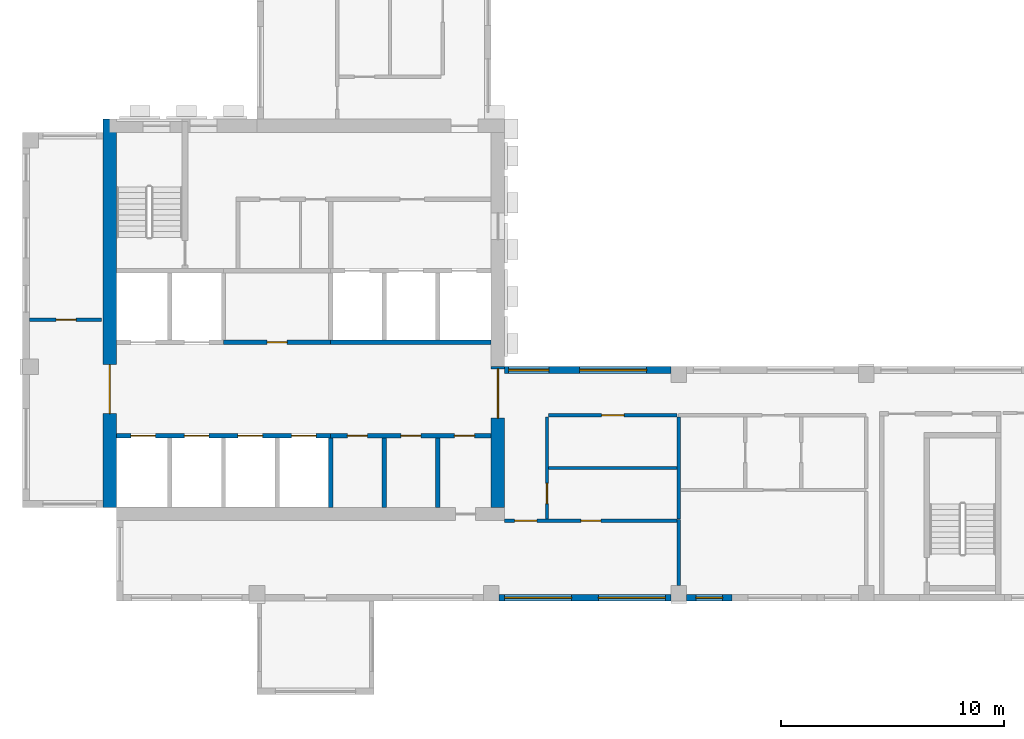
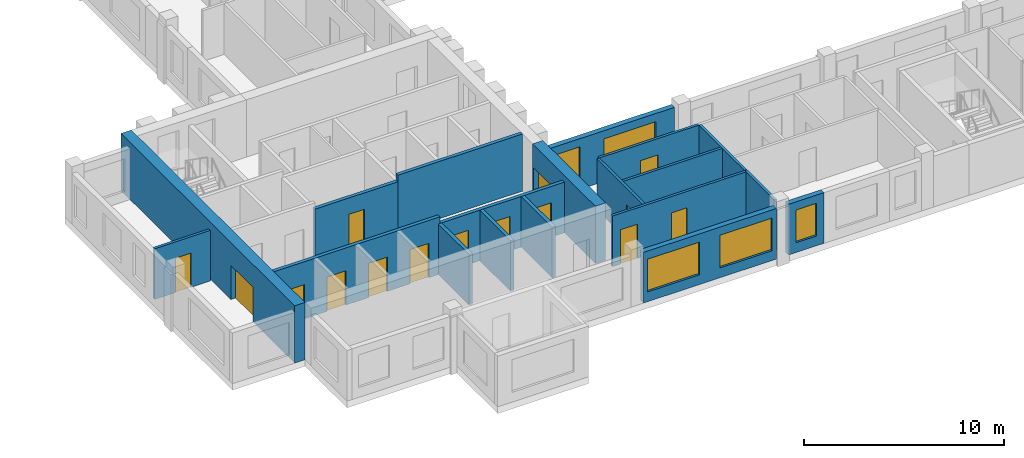
# One storey, part 2 of 10: 19 walls, 15 doors, 5 windows, 20 openings.
"""IFC4 building model written with IfcOpenShell, lengths in metres."""

from ifc_helpers import new_model, si_unit, direction, frame, frame_2d, origin, place, context, subcontext, project, spatial, rectangle, extrude, source, transform, mapped, material, layer, layer_set, type_object, element, fill, save


model = new_model("IFC4")

# Units and contexts
model_context = context("Model", 3, precision=1e-05, world=origin(), true_north=direction((0.0, 1.0)))
body_context = subcontext(model_context, "Body", "Model", "MODEL_VIEW")
ifc_project = project(units=[si_unit("LENGTHUNIT", "METRE"), si_unit("AREAUNIT", "SQUARE_METRE"), si_unit("VOLUMEUNIT", "CUBIC_METRE"), si_unit("PLANEANGLEUNIT", "RADIAN"), si_unit("MASSUNIT", "GRAM", prefix="KILO")], contexts=[model_context])

# Site, building, storey
site_placement = place(None, origin())
site = spatial("IfcSite", under=ifc_project, at=site_placement, CompositionType="ELEMENT")
building_placement = place(site_placement, origin())
building = spatial("IfcBuilding", under=site, at=building_placement, Name="Aurelian Terraces", CompositionType="ELEMENT")
storey_placement = place(building_placement, frame((0.0, 0.0, 288.0)))
storey = spatial("IfcBuildingStorey", under=building, at=storey_placement, Name="L65", CompositionType="ELEMENT", Elevation=288.0)

# Wall
ifc_material_1 = material(Name="Gypsum board on steel studs", Category="steel")
ifc_layer_1 = layer(ifc_material_1, 0.2)
ifc_layer_set_1 = layer_set([ifc_layer_1], Name="Core partition 200")
wall_type_1 = type_object("IfcWallType", Name="Core partition 200", PredefinedType="PARTITIONING", material=ifc_layer_set_1)
wall_1_placement = place(storey_placement, frame((16.2, 4.2, 0.0), z_axis=(0.0, 0.0, 1.0), x_axis=(0.0, 1.0, 0.0)))
element("IfcWall", 1, at=wall_1_placement, inside=storey, type_object=wall_type_1, Name="L65 core wall CS-A5", PredefinedType="PARTITIONING", context=body_context, shape_type="SweptSolid", body=[
    extrude(rectangle(XDim=3.1, YDim=0.2, at=frame_2d((1.55, 0.0))), origin(), (0.0, 0.0, 1.0), 3.1),
])

# Wall, opening, door
ifc_material_2 = material(Name="Concrete fc' 55 MPa", Category="concrete")
ifc_layer_2 = layer(ifc_material_2, 0.6)
ifc_layer_set_2 = layer_set([ifc_layer_2], Name="CORE WALL 600 FC55")
wall_type_2 = type_object("IfcWallType", Name="CORE WALL 600 FC55", PredefinedType="SHEAR", material=ifc_layer_set_2)
shared_shape_1 = source(origin(), body_context, "Body", "SweptSolid", [
    extrude(rectangle(XDim=17.4, YDim=0.6, at=frame_2d((8.7, 0.0))), origin(), (0.0, 0.0, 1.0), 3.5),
])
wall_2_placement = place(storey_placement, frame((3.9, 4.2, 0.0), z_axis=(0.0, 0.0, 1.0), x_axis=(0.0, 1.0, 0.0)))
wall_2 = element("IfcWall", 2, at=wall_2_placement, inside=storey, type_object=wall_type_2, Name="Core wall W L65", PredefinedType="SHEAR", context=body_context, shape_type="MappedRepresentation", body=[
    mapped(shared_shape_1, transform((0.0, 0.0, 0.0), scale=1.0)),
])
shared_shape_2 = source(origin(), body_context, "Body", "SweptSolid", [
    extrude(rectangle(XDim=2.2, YDim=2.1, at=frame_2d((1.1, 1.05))), frame((0.0, 0.31, 0.0), z_axis=(0.0, -1.0, 0.0), x_axis=(1.0, 0.0, 0.0)), (0.0, 0.0, 1.0), 0.62),
])
opening_1_placement = place(wall_2_placement, frame((4.2, 0.0, 0.0)))
opening_1 = element("IfcOpeningElement", 3, at=opening_1_placement, cuts=wall_2, Name="Opening 66824", PredefinedType="OPENING", context=body_context, shape_type="MappedRepresentation", body=[
    mapped(shared_shape_2, transform((0.0, 0.0, 0.0), scale=1.0)),
])
ifc_material_3 = material(Name="Steel door leaf", Category="steel")
door_type_1 = type_object("IfcDoorType", Name="Core double door 2200x2100", OperationType="DOUBLE_DOOR_SINGLE_SWING", PredefinedType="DOOR", material=ifc_material_3)
shared_shape_3 = source(origin(), body_context, "Body", "SweptSolid", [
    extrude(rectangle(XDim=2.2, YDim=2.1, at=frame_2d((1.1, 1.05))), frame((0.0, 0.025, 0.0), z_axis=(0.0, -1.0, 0.0), x_axis=(1.0, 0.0, 0.0)), (0.0, 0.0, 1.0), 0.05),
])
door_1_placement = place(opening_1_placement, origin())
door_1 = element("IfcDoor", 4, at=door_1_placement, inside=storey, type_object=door_type_1, Name="Core door 66824", OperationType="DOUBLE_DOOR_SINGLE_SWING", OverallHeight=2.1, OverallWidth=2.2, PredefinedType="DOOR", context=body_context, shape_type="MappedRepresentation", body=[
    mapped(shared_shape_3, transform((0.0, 0.0, 0.0), scale=1.0)),
])
fill(opening_1, door_1)

shared_shape_4 = source(origin(), body_context, "Body", "SweptSolid", [
    extrude(rectangle(XDim=6.3, YDim=0.6, at=frame_2d((3.15, 0.0))), origin(), (0.0, 0.0, 1.0), 3.5),
])
wall_3_placement = place(storey_placement, frame((21.3, 4.2, 0.0), z_axis=(0.0, 0.0, 1.0), x_axis=(0.0, 1.0, 0.0)))
wall_3 = element("IfcWall", 5, at=wall_3_placement, inside=storey, type_object=wall_type_2, Name="Core wall E L65", PredefinedType="SHEAR", context=body_context, shape_type="MappedRepresentation", body=[
    mapped(shared_shape_4, transform((0.0, 0.0, 0.0), scale=1.0)),
])
opening_2_placement = place(wall_3_placement, frame((4.0, 0.0, 0.0)))
opening_2 = element("IfcOpeningElement", 6, at=opening_2_placement, cuts=wall_3, Name="Opening 66823", PredefinedType="OPENING", context=body_context, shape_type="MappedRepresentation", body=[
    mapped(shared_shape_2, transform((0.0, 0.0, 0.0), scale=1.0)),
])
door_2_placement = place(opening_2_placement, origin())
door_2 = element("IfcDoor", 7, at=door_2_placement, inside=storey, type_object=door_type_1, Name="Core door 66823", OperationType="DOUBLE_DOOR_SINGLE_SWING", OverallHeight=2.1, OverallWidth=2.2, PredefinedType="DOOR", context=body_context, shape_type="MappedRepresentation", body=[
    mapped(shared_shape_3, transform((0.0, 0.0, 0.0), scale=1.0)),
])
fill(opening_2, door_2)

# Wall, openings, windows
ifc_material_4 = material(Name="Terracotta rainscreen cladding", Category="masonry")
ifc_layer_3 = layer(ifc_material_4, 0.3)
ifc_layer_set_3 = layer_set([ifc_layer_3], Name="EW-300")
wall_type_3 = type_object("IfcWallType", Name="EW-300", PredefinedType="STANDARD", material=ifc_layer_set_3)
shared_shape_5 = source(origin(), body_context, "Body", "SweptSolid", [
    extrude(rectangle(XDim=7.7, YDim=0.3, at=frame_2d((3.85, 0.0))), origin(), (0.0, 0.0, 1.0), 3.1),
])
wall_4_placement = place(storey_placement, frame((21.35, 0.15, 0.0), z_axis=(0.0, 0.0, 1.0), x_axis=(1.0, 0.0, 0.0)))
wall_4 = element("IfcWall", 8, at=wall_4_placement, inside=storey, type_object=wall_type_3, Name="External wall L65 F01.3", PredefinedType="STANDARD", context=body_context, shape_type="MappedRepresentation", body=[
    mapped(shared_shape_5, transform((0.0, 0.0, 0.0), scale=1.0)),
])
shared_shape_6 = source(origin(), body_context, "Body", "SweptSolid", [
    extrude(rectangle(XDim=3.0, YDim=2.0, at=frame_2d((1.5, 1.0))), frame((0.0, 0.16, 0.0), z_axis=(0.0, -1.0, 0.0), x_axis=(1.0, 0.0, 0.0)), (0.0, 0.0, 1.0), 0.32),
])
opening_3_placement = place(wall_4_placement, frame((0.25, 0.0, 0.6)))
opening_3 = element("IfcOpeningElement", 9, at=opening_3_placement, cuts=wall_4, Name="Opening W3020", PredefinedType="OPENING", context=body_context, shape_type="MappedRepresentation", body=[
    mapped(shared_shape_6, transform((0.0, 0.0, 0.0), scale=1.0)),
])
opening_4_placement = place(wall_4_placement, frame((4.45, 0.0, 0.6)))
opening_4 = element("IfcOpeningElement", 10, at=opening_4_placement, cuts=wall_4, Name="Opening W3020", PredefinedType="OPENING", context=body_context, shape_type="MappedRepresentation", body=[
    mapped(shared_shape_6, transform((0.0, 0.0, 0.0), scale=1.0)),
])
ifc_material_5 = material(Name="Clear glazing", Category="glass")
window_type_1 = type_object("IfcWindowType", Name="W-3000x2000", PartitioningType="SINGLE_PANEL", PredefinedType="WINDOW", material=ifc_material_5)
shared_shape_7 = source(origin(), body_context, "Body", "SweptSolid", [
    extrude(rectangle(XDim=3.0, YDim=2.0, at=frame_2d((1.5, 1.0))), frame((0.0, 0.03, 0.0), z_axis=(0.0, -1.0, 0.0), x_axis=(1.0, 0.0, 0.0)), (0.0, 0.0, 1.0), 0.06),
])
window_1_placement = place(opening_3_placement, origin())
window_1 = element("IfcWindow", 11, at=window_1_placement, inside=storey, type_object=window_type_1, Name="Window L65 L65-F01-03-0", OverallHeight=2.0, OverallWidth=3.0, PartitioningType="SINGLE_PANEL", PredefinedType="WINDOW", context=body_context, shape_type="MappedRepresentation", body=[
    mapped(shared_shape_7, transform((0.0, 0.0, 0.0), scale=1.0)),
])
fill(opening_3, window_1)
window_2_placement = place(opening_4_placement, origin())
window_2 = element("IfcWindow", 12, at=window_2_placement, inside=storey, type_object=window_type_1, Name="Window L65 L65-F01-03-1", OverallHeight=2.0, OverallWidth=3.0, PartitioningType="SINGLE_PANEL", PredefinedType="WINDOW", context=body_context, shape_type="MappedRepresentation", body=[
    mapped(shared_shape_7, transform((0.0, 0.0, 0.0), scale=1.0)),
])
fill(opening_4, window_2)

shared_shape_8 = source(origin(), body_context, "Body", "SweptSolid", [
    extrude(rectangle(XDim=7.45, YDim=0.3, at=frame_2d((3.725, 0.0))), origin(), (0.0, 0.0, 1.0), 3.1),
])
wall_5_placement = place(storey_placement, frame((29.05, 10.35, 0.0), z_axis=(0.0, 0.0, 1.0), x_axis=(-1.0, 0.0, 0.0)))
wall_5 = element("IfcWall", 13, at=wall_5_placement, inside=storey, type_object=wall_type_3, Name="External wall L65 F03.8", PredefinedType="STANDARD", context=body_context, shape_type="MappedRepresentation", body=[
    mapped(shared_shape_8, transform((0.0, 0.0, 0.0), scale=1.0)),
])
opening_5_placement = place(wall_5_placement, frame((1.09, 0.0, 0.6)))
opening_5 = element("IfcOpeningElement", 14, at=opening_5_placement, cuts=wall_5, Name="Opening W3020", PredefinedType="OPENING", context=body_context, shape_type="MappedRepresentation", body=[
    mapped(shared_shape_6, transform((0.0, 0.0, 0.0), scale=1.0)),
])
shared_shape_9 = source(origin(), body_context, "Body", "SweptSolid", [
    extrude(rectangle(XDim=1.8, YDim=2.0, at=frame_2d((0.9, 1.0))), frame((0.0, 0.16, 0.0), z_axis=(0.0, -1.0, 0.0), x_axis=(1.0, 0.0, 0.0)), (0.0, 0.0, 1.0), 0.32),
])
opening_6_placement = place(wall_5_placement, frame((5.47, 0.0, 0.6)))
opening_6 = element("IfcOpeningElement", 15, at=opening_6_placement, cuts=wall_5, Name="Opening W1820", PredefinedType="OPENING", context=body_context, shape_type="MappedRepresentation", body=[
    mapped(shared_shape_9, transform((0.0, 0.0, 0.0), scale=1.0)),
])
window_3_placement = place(opening_5_placement, origin())
window_3 = element("IfcWindow", 16, at=window_3_placement, inside=storey, type_object=window_type_1, Name="Window L65 L65-F03-08-5", OverallHeight=2.0, OverallWidth=3.0, PartitioningType="SINGLE_PANEL", PredefinedType="WINDOW", context=body_context, shape_type="MappedRepresentation", body=[
    mapped(shared_shape_7, transform((0.0, 0.0, 0.0), scale=1.0)),
])
fill(opening_5, window_3)
window_type_2 = type_object("IfcWindowType", Name="W-1800x2000", PartitioningType="SINGLE_PANEL", PredefinedType="WINDOW", material=ifc_material_5)
shared_shape_10 = source(origin(), body_context, "Body", "SweptSolid", [
    extrude(rectangle(XDim=1.8, YDim=2.0, at=frame_2d((0.9, 1.0))), frame((0.0, 0.03, 0.0), z_axis=(0.0, -1.0, 0.0), x_axis=(1.0, 0.0, 0.0)), (0.0, 0.0, 1.0), 0.06),
])
window_4_placement = place(opening_6_placement, origin())
window_4 = element("IfcWindow", 17, at=window_4_placement, inside=storey, type_object=window_type_2, Name="Window L65 L65-F03-08-6", OverallHeight=2.0, OverallWidth=1.8, PartitioningType="SINGLE_PANEL", PredefinedType="WINDOW", context=body_context, shape_type="MappedRepresentation", body=[
    mapped(shared_shape_10, transform((0.0, 0.0, 0.0), scale=1.0)),
])
fill(opening_6, window_4)

# Wall, opening, window
shared_shape_11 = source(origin(), body_context, "Body", "SweptSolid", [
    extrude(rectangle(XDim=2.05, YDim=0.3, at=frame_2d((1.025, 0.0))), origin(), (0.0, 0.0, 1.0), 3.1),
])
wall_6_placement = place(storey_placement, frame((29.75, 0.15, 0.0), z_axis=(0.0, 0.0, 1.0), x_axis=(1.0, 0.0, 0.0)))
wall_6 = element("IfcWall", 18, at=wall_6_placement, inside=storey, type_object=wall_type_3, Name="External wall L65 F01.4", PredefinedType="STANDARD", context=body_context, shape_type="MappedRepresentation", body=[
    mapped(shared_shape_11, transform((0.0, 0.0, 0.0), scale=1.0)),
])
shared_shape_12 = source(origin(), body_context, "Body", "SweptSolid", [
    extrude(rectangle(XDim=1.2, YDim=2.0, at=frame_2d((0.6, 1.0))), frame((0.0, 0.16, 0.0), z_axis=(0.0, -1.0, 0.0), x_axis=(1.0, 0.0, 0.0)), (0.0, 0.0, 1.0), 0.32),
])
opening_7_placement = place(wall_6_placement, frame((0.425, 0.0, 0.6)))
opening_7 = element("IfcOpeningElement", 19, at=opening_7_placement, cuts=wall_6, Name="Opening W1220", PredefinedType="OPENING", context=body_context, shape_type="MappedRepresentation", body=[
    mapped(shared_shape_12, transform((0.0, 0.0, 0.0), scale=1.0)),
])
window_type_3 = type_object("IfcWindowType", Name="W-1200x2000", PartitioningType="SINGLE_PANEL", PredefinedType="WINDOW", material=ifc_material_5)
shared_shape_13 = source(origin(), body_context, "Body", "SweptSolid", [
    extrude(rectangle(XDim=1.2, YDim=2.0, at=frame_2d((0.6, 1.0))), frame((0.0, 0.03, 0.0), z_axis=(0.0, -1.0, 0.0), x_axis=(1.0, 0.0, 0.0)), (0.0, 0.0, 1.0), 0.06),
])
window_5_placement = place(opening_7_placement, origin())
window_5 = element("IfcWindow", 20, at=window_5_placement, inside=storey, type_object=window_type_3, Name="Window L65 L65-F01-04-P0", OverallHeight=2.0, OverallWidth=1.2, PartitioningType="SINGLE_PANEL", PredefinedType="WINDOW", context=body_context, shape_type="MappedRepresentation", body=[
    mapped(shared_shape_13, transform((0.0, 0.0, 0.0), scale=1.0)),
])
fill(opening_7, window_5)

# Wall
ifc_material_6 = material(Name="Concrete fc' 40 MPa", Category="concrete")
ifc_layer_4 = layer(ifc_material_6, 0.2)
ifc_layer_set_4 = layer_set([ifc_layer_4], Name="Lift shaft wall 200")
wall_type_4 = type_object("IfcWallType", Name="Lift shaft wall 200", PredefinedType="SOLIDWALL", material=ifc_layer_set_4)
shared_shape_14 = source(origin(), body_context, "Body", "SweptSolid", [
    extrude(rectangle(XDim=3.1, YDim=0.2, at=frame_2d((1.55, 0.0))), origin(), (0.0, 0.0, 1.0), 3.1),
])
wall_7_placement = place(storey_placement, frame((13.8, 4.2, 0.0), z_axis=(0.0, 0.0, 1.0), x_axis=(0.0, 1.0, 0.0)))
element("IfcWall", 21, at=wall_7_placement, inside=storey, type_object=wall_type_4, Name="L65 core wall CD-A4", PredefinedType="SOLIDWALL", context=body_context, shape_type="MappedRepresentation", body=[
    mapped(shared_shape_14, transform((0.0, 0.0, 0.0), scale=1.0)),
])

# Wall, opening, door
shared_shape_15 = source(origin(), body_context, "Body", "SweptSolid", [
    extrude(rectangle(XDim=4.8, YDim=0.2, at=frame_2d((2.4, 0.0))), origin(), (0.0, 0.0, 1.0), 3.1),
])
wall_8_placement = place(storey_placement, frame((9.0, 11.6, 0.0), z_axis=(0.0, 0.0, 1.0), x_axis=(1.0, 0.0, 0.0)))
wall_8 = element("IfcWall", 22, at=wall_8_placement, inside=storey, type_object=wall_type_4, Name="L65 core wall CF-BF2", PredefinedType="SOLIDWALL", context=body_context, shape_type="MappedRepresentation", body=[
    mapped(shared_shape_15, transform((0.0, 0.0, 0.0), scale=1.0)),
])
shared_shape_16 = source(origin(), body_context, "Body", "SweptSolid", [
    extrude(rectangle(XDim=0.9, YDim=2.1, at=frame_2d((0.45, 1.05))), frame((0.0, 0.11, 0.0), z_axis=(0.0, -1.0, 0.0), x_axis=(1.0, 0.0, 0.0)), (0.0, 0.0, 1.0), 0.22),
])
opening_8_placement = place(wall_8_placement, frame((1.95, 0.0, 0.0)))
opening_8 = element("IfcOpeningElement", 23, at=opening_8_placement, cuts=wall_8, Name="Opening 66809", PredefinedType="OPENING", context=body_context, shape_type="MappedRepresentation", body=[
    mapped(shared_shape_16, transform((0.0, 0.0, 0.0), scale=1.0)),
])
door_type_2 = type_object("IfcDoorType", Name="Core service door 900x2100 right", OperationType="SINGLE_SWING_RIGHT", PredefinedType="DOOR", material=ifc_material_3)
shared_shape_17 = source(origin(), body_context, "Body", "SweptSolid", [
    extrude(rectangle(XDim=0.9, YDim=2.1, at=frame_2d((0.45, 1.05))), frame((0.0, 0.025, 0.0), z_axis=(0.0, -1.0, 0.0), x_axis=(1.0, 0.0, 0.0)), (0.0, 0.0, 1.0), 0.05),
])
door_3_placement = place(opening_8_placement, origin())
door_3 = element("IfcDoor", 24, at=door_3_placement, inside=storey, type_object=door_type_2, Name="Room door 66809", OperationType="SINGLE_SWING_RIGHT", OverallHeight=2.1, OverallWidth=0.9, PredefinedType="DOOR", context=body_context, shape_type="MappedRepresentation", body=[
    mapped(shared_shape_17, transform((0.0, 0.0, 0.0), scale=1.0)),
])
fill(opening_8, door_3)

# Walls
shared_shape_18 = source(origin(), body_context, "Body", "SweptSolid", [
    extrude(rectangle(XDim=7.2, YDim=0.2, at=frame_2d((3.6, 0.0))), origin(), (0.0, 0.0, 1.0), 3.5),
])
wall_9_placement = place(storey_placement, frame((13.8, 11.6, 0.0), z_axis=(0.0, 0.0, 1.0), x_axis=(1.0, 0.0, 0.0)))
element("IfcWall", 25, at=wall_9_placement, inside=storey, type_object=wall_type_4, Name="L65 core wall CF-BF3", PredefinedType="SOLIDWALL", context=body_context, shape_type="MappedRepresentation", body=[
    mapped(shared_shape_18, transform((0.0, 0.0, 0.0), scale=1.0)),
])
shared_shape_19 = source(origin(), body_context, "Body", "SweptSolid", [
    extrude(rectangle(XDim=3.1, YDim=0.2, at=frame_2d((1.55, 0.0))), origin(), (0.0, 0.0, 1.0), 3.1),
])
wall_10_placement = place(storey_placement, frame((18.6, 4.2, 0.0), z_axis=(0.0, 0.0, 1.0), x_axis=(0.0, 1.0, 0.0)))
element("IfcWall", 26, at=wall_10_placement, inside=storey, type_object=wall_type_1, Name="L65 core wall CS-A6", PredefinedType="PARTITIONING", context=body_context, shape_type="MappedRepresentation", body=[
    mapped(shared_shape_19, transform((0.0, 0.0, 0.0), scale=1.0)),
])

# Wall, openings, doors
shared_shape_20 = source(origin(), body_context, "Body", "SweptSolid", [
    extrude(rectangle(XDim=9.6, YDim=0.2, at=frame_2d((4.8, 0.0))), origin(), (0.0, 0.0, 1.0), 3.5),
])
wall_11_placement = place(storey_placement, frame((4.2, 7.4, 0.0), z_axis=(0.0, 0.0, 1.0), x_axis=(1.0, 0.0, 0.0)))
wall_11 = element("IfcWall", 27, at=wall_11_placement, inside=storey, type_object=wall_type_4, Name="L65 core wall CF-AF1", PredefinedType="SOLIDWALL", context=body_context, shape_type="MappedRepresentation", body=[
    mapped(shared_shape_20, transform((0.0, 0.0, 0.0), scale=1.0)),
])
shared_shape_21 = source(origin(), body_context, "Body", "SweptSolid", [
    extrude(rectangle(XDim=1.1, YDim=2.1, at=frame_2d((0.55, 1.05))), frame((0.0, 0.11, 0.0), z_axis=(0.0, -1.0, 0.0), x_axis=(1.0, 0.0, 0.0)), (0.0, 0.0, 1.0), 0.22),
])
opening_9_placement = place(wall_11_placement, frame((0.65, 0.0, 0.0)))
opening_9 = element("IfcOpeningElement", 28, at=opening_9_placement, cuts=wall_11, Name="Opening 66800", PredefinedType="OPENING", context=body_context, shape_type="MappedRepresentation", body=[
    mapped(shared_shape_21, transform((0.0, 0.0, 0.0), scale=1.0)),
])
opening_10_placement = place(wall_11_placement, frame((3.05, 0.0, 0.0)))
opening_10 = element("IfcOpeningElement", 29, at=opening_10_placement, cuts=wall_11, Name="Opening 66801", PredefinedType="OPENING", context=body_context, shape_type="MappedRepresentation", body=[
    mapped(shared_shape_21, transform((0.0, 0.0, 0.0), scale=1.0)),
])
opening_11_placement = place(wall_11_placement, frame((5.45, 0.0, 0.0)))
opening_11 = element("IfcOpeningElement", 30, at=opening_11_placement, cuts=wall_11, Name="Opening 66802", PredefinedType="OPENING", context=body_context, shape_type="MappedRepresentation", body=[
    mapped(shared_shape_21, transform((0.0, 0.0, 0.0), scale=1.0)),
])
opening_12_placement = place(wall_11_placement, frame((7.85, 0.0, 0.0)))
opening_12 = element("IfcOpeningElement", 31, at=opening_12_placement, cuts=wall_11, Name="Opening 66803", PredefinedType="OPENING", context=body_context, shape_type="MappedRepresentation", body=[
    mapped(shared_shape_21, transform((0.0, 0.0, 0.0), scale=1.0)),
])
ifc_material_7 = material(Name="Stainless steel", Category="steel")
door_type_3 = type_object("IfcDoorType", Name="Lift landing door 1100x2100", OperationType="SLIDING_TO_LEFT", PredefinedType="DOOR", material=ifc_material_7)
shared_shape_22 = source(origin(), body_context, "Body", "SweptSolid", [
    extrude(rectangle(XDim=1.1, YDim=2.1, at=frame_2d((0.55, 1.05))), frame((0.0, 0.025, 0.0), z_axis=(0.0, -1.0, 0.0), x_axis=(1.0, 0.0, 0.0)), (0.0, 0.0, 1.0), 0.05),
])
door_4_placement = place(opening_9_placement, origin())
door_4 = element("IfcDoor", 32, at=door_4_placement, inside=storey, type_object=door_type_3, Name="Lift landing door LH1 L65", OperationType="SLIDING_TO_LEFT", OverallHeight=2.1, OverallWidth=1.1, PredefinedType="DOOR", context=body_context, shape_type="MappedRepresentation", body=[
    mapped(shared_shape_22, transform((0.0, 0.0, 0.0), scale=1.0)),
])
fill(opening_9, door_4)
door_5_placement = place(opening_10_placement, origin())
door_5 = element("IfcDoor", 33, at=door_5_placement, inside=storey, type_object=door_type_3, Name="Lift landing door LH2 L65", OperationType="SLIDING_TO_LEFT", OverallHeight=2.1, OverallWidth=1.1, PredefinedType="DOOR", context=body_context, shape_type="MappedRepresentation", body=[
    mapped(shared_shape_22, transform((0.0, 0.0, 0.0), scale=1.0)),
])
fill(opening_10, door_5)
door_6_placement = place(opening_11_placement, origin())
door_6 = element("IfcDoor", 34, at=door_6_placement, inside=storey, type_object=door_type_3, Name="Lift landing door LH3 L65", OperationType="SLIDING_TO_LEFT", OverallHeight=2.1, OverallWidth=1.1, PredefinedType="DOOR", context=body_context, shape_type="MappedRepresentation", body=[
    mapped(shared_shape_22, transform((0.0, 0.0, 0.0), scale=1.0)),
])
fill(opening_11, door_6)
door_7_placement = place(opening_12_placement, origin())
door_7 = element("IfcDoor", 35, at=door_7_placement, inside=storey, type_object=door_type_3, Name="Lift landing door LH4 L65", OperationType="SLIDING_TO_LEFT", OverallHeight=2.1, OverallWidth=1.1, PredefinedType="DOOR", context=body_context, shape_type="MappedRepresentation", body=[
    mapped(shared_shape_22, transform((0.0, 0.0, 0.0), scale=1.0)),
])
fill(opening_12, door_7)

shared_shape_23 = source(origin(), body_context, "Body", "SweptSolid", [
    extrude(rectangle(XDim=7.2, YDim=0.2, at=frame_2d((3.6, 0.0))), origin(), (0.0, 0.0, 1.0), 3.1),
])
wall_12_placement = place(storey_placement, frame((13.8, 7.4, 0.0), z_axis=(0.0, 0.0, 1.0), x_axis=(1.0, 0.0, 0.0)))
wall_12 = element("IfcWall", 36, at=wall_12_placement, inside=storey, type_object=wall_type_4, Name="L65 core wall CF-AF2", PredefinedType="SOLIDWALL", context=body_context, shape_type="MappedRepresentation", body=[
    mapped(shared_shape_23, transform((0.0, 0.0, 0.0), scale=1.0)),
])
opening_13_placement = place(wall_12_placement, frame((0.75, 0.0, 0.0)))
opening_13 = element("IfcOpeningElement", 37, at=opening_13_placement, cuts=wall_12, Name="Opening 66804", PredefinedType="OPENING", context=body_context, shape_type="MappedRepresentation", body=[
    mapped(shared_shape_16, transform((0.0, 0.0, 0.0), scale=1.0)),
])
opening_14_placement = place(wall_12_placement, frame((3.15, 0.0, 0.0)))
opening_14 = element("IfcOpeningElement", 38, at=opening_14_placement, cuts=wall_12, Name="Opening 66805", PredefinedType="OPENING", context=body_context, shape_type="MappedRepresentation", body=[
    mapped(shared_shape_16, transform((0.0, 0.0, 0.0), scale=1.0)),
])
opening_15_placement = place(wall_12_placement, frame((5.55, 0.0, 0.0)))
opening_15 = element("IfcOpeningElement", 39, at=opening_15_placement, cuts=wall_12, Name="Opening 66806", PredefinedType="OPENING", context=body_context, shape_type="MappedRepresentation", body=[
    mapped(shared_shape_16, transform((0.0, 0.0, 0.0), scale=1.0)),
])
door_type_4 = type_object("IfcDoorType", Name="Core service door 900x2100", OperationType="SINGLE_SWING_LEFT", PredefinedType="DOOR", material=ifc_material_3)
door_8_placement = place(opening_13_placement, origin())
door_8 = element("IfcDoor", 40, at=door_8_placement, inside=storey, type_object=door_type_4, Name="Room door 66804", OperationType="SINGLE_SWING_LEFT", OverallHeight=2.1, OverallWidth=0.9, PredefinedType="DOOR", context=body_context, shape_type="MappedRepresentation", body=[
    mapped(shared_shape_17, transform((0.0, 0.0, 0.0), scale=1.0)),
])
fill(opening_13, door_8)
door_9_placement = place(opening_14_placement, origin())
door_9 = element("IfcDoor", 41, at=door_9_placement, inside=storey, type_object=door_type_2, Name="Room door 66805", OperationType="SINGLE_SWING_RIGHT", OverallHeight=2.1, OverallWidth=0.9, PredefinedType="DOOR", context=body_context, shape_type="MappedRepresentation", body=[
    mapped(shared_shape_17, transform((0.0, 0.0, 0.0), scale=1.0)),
])
fill(opening_14, door_9)
door_10_placement = place(opening_15_placement, origin())
door_10 = element("IfcDoor", 42, at=door_10_placement, inside=storey, type_object=door_type_4, Name="Room door 66806", OperationType="SINGLE_SWING_LEFT", OverallHeight=2.1, OverallWidth=0.9, PredefinedType="DOOR", context=body_context, shape_type="MappedRepresentation", body=[
    mapped(shared_shape_17, transform((0.0, 0.0, 0.0), scale=1.0)),
])
fill(opening_15, door_10)

# Wall, opening, door
ifc_layer_5 = layer(ifc_material_1, 0.15)
ifc_layer_set_5 = layer_set([ifc_layer_5], Name="Partition 150")
wall_type_5 = type_object("IfcWallType", Name="Partition 150", PredefinedType="PARTITIONING", material=ifc_layer_set_5)
shared_shape_24 = source(origin(), body_context, "Body", "SweptSolid", [
    extrude(rectangle(XDim=4.575, YDim=0.15, at=frame_2d((2.2875, 0.0))), origin(), (0.0, 0.0, 1.0), 3.1),
])
wall_13_placement = place(storey_placement, frame((23.5, 8.25, 0.0), z_axis=(0.0, 0.0, 1.0), x_axis=(0.0, -1.0, 0.0)))
wall_13 = element("IfcWall", 43, at=wall_13_placement, inside=storey, type_object=wall_type_5, Name="Partition", PredefinedType="PARTITIONING", context=body_context, shape_type="MappedRepresentation", body=[
    mapped(shared_shape_24, transform((0.0, 0.0, 0.0), scale=1.0)),
])
shared_shape_25 = source(origin(), body_context, "Body", "SweptSolid", [
    extrude(rectangle(XDim=0.9, YDim=2.1, at=frame_2d((0.45, 1.05))), frame((0.0, 0.085, 0.0), z_axis=(0.0, -1.0, 0.0), x_axis=(1.0, 0.0, 0.0)), (0.0, 0.0, 1.0), 0.17),
])
opening_16_placement = place(wall_13_placement, frame((2.981, 0.0, 0.0)))
opening_16 = element("IfcOpeningElement", 44, at=opening_16_placement, cuts=wall_13, Name="Opening 765002", PredefinedType="OPENING", context=body_context, shape_type="MappedRepresentation", body=[
    mapped(shared_shape_25, transform((0.0, 0.0, 0.0), scale=1.0)),
])
ifc_material_8 = material(Name="Timber door leaf", Category="wood")
door_type_5 = type_object("IfcDoorType", Name="Room door 900x2100 left", OperationType="SINGLE_SWING_LEFT", PredefinedType="DOOR", material=ifc_material_8)
door_11_placement = place(opening_16_placement, origin())
door_11 = element("IfcDoor", 45, at=door_11_placement, inside=storey, type_object=door_type_5, Name="Door 765002", OperationType="SINGLE_SWING_LEFT", OverallHeight=2.1, OverallWidth=0.9, PredefinedType="DOOR", context=body_context, shape_type="MappedRepresentation", body=[
    mapped(shared_shape_17, transform((0.0, 0.0, 0.0), scale=1.0)),
])
fill(opening_16, door_11)

# Wall
wall_14_placement = place(storey_placement, frame((29.4, 3.675, 0.0), z_axis=(0.0, 0.0, 1.0), x_axis=(0.0, 1.0, 0.0)))
element("IfcWall", 46, at=wall_14_placement, inside=storey, type_object=wall_type_5, Name="Partition", PredefinedType="PARTITIONING", context=body_context, shape_type="MappedRepresentation", body=[
    mapped(shared_shape_24, transform((0.0, 0.0, 0.0), scale=1.0)),
])

# Wall, opening, door
ifc_layer_6 = layer(ifc_material_1, 0.15)
ifc_layer_set_6 = layer_set([ifc_layer_6], Name="Fire partition 150")
wall_type_6 = type_object("IfcWallType", Name="Fire partition 150", PredefinedType="PARTITIONING", material=ifc_layer_set_6)
shared_shape_26 = source(origin(), body_context, "Body", "SweptSolid", [
    extrude(rectangle(XDim=5.75, YDim=0.15, at=frame_2d((2.875, 0.0))), origin(), (0.0, 0.0, 1.0), 3.1),
])
wall_15_placement = place(storey_placement, frame((29.325, 8.325, 0.0), z_axis=(0.0, 0.0, 1.0), x_axis=(-1.0, 0.0, 0.0)))
wall_15 = element("IfcWall", 47, at=wall_15_placement, inside=storey, type_object=wall_type_6, Name="Corridor wall", PredefinedType="PARTITIONING", context=body_context, shape_type="MappedRepresentation", body=[
    mapped(shared_shape_26, transform((0.0, 0.0, 0.0), scale=1.0)),
])
shared_shape_27 = source(origin(), body_context, "Body", "SweptSolid", [
    extrude(rectangle(XDim=1.0, YDim=2.1, at=frame_2d((0.5, 1.05))), frame((0.0, 0.085, 0.0), z_axis=(0.0, -1.0, 0.0), x_axis=(1.0, 0.0, 0.0)), (0.0, 0.0, 1.0), 0.17),
])
opening_17_placement = place(wall_15_placement, frame((2.375, 0.0, 0.0)))
opening_17 = element("IfcOpeningElement", 48, at=opening_17_placement, cuts=wall_15, Name="Opening 765001", PredefinedType="OPENING", context=body_context, shape_type="MappedRepresentation", body=[
    mapped(shared_shape_27, transform((0.0, 0.0, 0.0), scale=1.0)),
])
door_type_6 = type_object("IfcDoorType", Name="Entrance fire door 1000x2100 right", OperationType="SINGLE_SWING_RIGHT", PredefinedType="DOOR", material=ifc_material_3)
shared_shape_28 = source(origin(), body_context, "Body", "SweptSolid", [
    extrude(rectangle(XDim=1.0, YDim=2.1, at=frame_2d((0.5, 1.05))), frame((0.0, 0.025, 0.0), z_axis=(0.0, -1.0, 0.0), x_axis=(1.0, 0.0, 0.0)), (0.0, 0.0, 1.0), 0.05),
])
door_12_placement = place(opening_17_placement, origin())
door_12 = element("IfcDoor", 49, at=door_12_placement, inside=storey, type_object=door_type_6, Name="Door 765001", OperationType="SINGLE_SWING_RIGHT", OverallHeight=2.1, OverallWidth=1.0, PredefinedType="DOOR", context=body_context, shape_type="MappedRepresentation", body=[
    mapped(shared_shape_28, transform((0.0, 0.0, 0.0), scale=1.0)),
])
fill(opening_17, door_12)

# Wall
wall_16_placement = place(storey_placement, frame((29.325, 5.963, 0.0), z_axis=(0.0, 0.0, 1.0), x_axis=(-1.0, 0.0, 0.0)))
element("IfcWall", 50, at=wall_16_placement, inside=storey, type_object=wall_type_5, Name="Partition", PredefinedType="PARTITIONING", context=body_context, shape_type="MappedRepresentation", body=[
    mapped(shared_shape_26, transform((0.0, 0.0, 0.0), scale=1.0)),
])

# Wall, openings, doors
shared_shape_29 = source(origin(), body_context, "Body", "SweptSolid", [
    extrude(rectangle(XDim=7.725, YDim=0.15, at=frame_2d((3.8625, 0.0))), origin(), (0.0, 0.0, 1.0), 3.1),
])
wall_17_placement = place(storey_placement, frame((21.6, 3.6, 0.0), z_axis=(0.0, 0.0, 1.0), x_axis=(1.0, 0.0, 0.0)))
wall_17 = element("IfcWall", 51, at=wall_17_placement, inside=storey, type_object=wall_type_5, Name="Partition", PredefinedType="PARTITIONING", context=body_context, shape_type="MappedRepresentation", body=[
    mapped(shared_shape_29, transform((0.0, 0.0, 0.0), scale=1.0)),
])
opening_18_placement = place(wall_17_placement, frame((0.45, 0.0, 0.0)))
opening_18 = element("IfcOpeningElement", 52, at=opening_18_placement, cuts=wall_17, Name="Opening 765003", PredefinedType="OPENING", context=body_context, shape_type="MappedRepresentation", body=[
    mapped(shared_shape_27, transform((0.0, 0.0, 0.0), scale=1.0)),
])
opening_19_placement = place(wall_17_placement, frame((3.4125, 0.0, 0.0)))
opening_19 = element("IfcOpeningElement", 53, at=opening_19_placement, cuts=wall_17, Name="Opening 765017", PredefinedType="OPENING", context=body_context, shape_type="MappedRepresentation", body=[
    mapped(shared_shape_25, transform((0.0, 0.0, 0.0), scale=1.0)),
])
door_type_7 = type_object("IfcDoorType", Name="Room door 1000x2100 left", OperationType="SINGLE_SWING_LEFT", PredefinedType="DOOR", material=ifc_material_8)
door_13_placement = place(opening_18_placement, origin())
door_13 = element("IfcDoor", 54, at=door_13_placement, inside=storey, type_object=door_type_7, Name="Door 765003", OperationType="SINGLE_SWING_LEFT", OverallHeight=2.1, OverallWidth=1.0, PredefinedType="DOOR", context=body_context, shape_type="MappedRepresentation", body=[
    mapped(shared_shape_28, transform((0.0, 0.0, 0.0), scale=1.0)),
])
fill(opening_18, door_13)
door_14_placement = place(opening_19_placement, origin())
door_14 = element("IfcDoor", 55, at=door_14_placement, inside=storey, type_object=door_type_5, Name="Door 765017", OperationType="SINGLE_SWING_LEFT", OverallHeight=2.1, OverallWidth=0.9, PredefinedType="DOOR", context=body_context, shape_type="MappedRepresentation", body=[
    mapped(shared_shape_17, transform((0.0, 0.0, 0.0), scale=1.0)),
])
fill(opening_19, door_14)

# Wall
shared_shape_30 = source(origin(), body_context, "Body", "SweptSolid", [
    extrude(rectangle(XDim=2.956, YDim=0.15, at=frame_2d((1.478, 0.0))), origin(), (0.0, 0.0, 1.0), 3.1),
])
wall_18_placement = place(storey_placement, frame((29.4, 0.699, 0.0), z_axis=(0.0, 0.0, 1.0), x_axis=(0.0, 1.0, 0.0)))
element("IfcWall", 56, at=wall_18_placement, inside=storey, type_object=wall_type_6, Name="Party wall", PredefinedType="PARTITIONING", context=body_context, shape_type="MappedRepresentation", body=[
    mapped(shared_shape_30, transform((0.0, 0.0, 0.0), scale=1.0)),
])

# Wall, opening, door
shared_shape_31 = source(origin(), body_context, "Body", "SweptSolid", [
    extrude(rectangle(XDim=3.225, YDim=0.15, at=frame_2d((1.6125, 0.0))), origin(), (0.0, 0.0, 1.0), 3.1),
])
wall_19_placement = place(storey_placement, frame((0.3, 12.6, 0.0), z_axis=(0.0, 0.0, 1.0), x_axis=(1.0, 0.0, 0.0)))
wall_19 = element("IfcWall", 57, at=wall_19_placement, inside=storey, type_object=wall_type_5, Name="Partition", PredefinedType="PARTITIONING", context=body_context, shape_type="MappedRepresentation", body=[
    mapped(shared_shape_31, transform((0.0, 0.0, 0.0), scale=1.0)),
])
opening_20_placement = place(wall_19_placement, frame((1.2, 0.0, 0.0)))
opening_20 = element("IfcOpeningElement", 58, at=opening_20_placement, cuts=wall_19, Name="Opening 765012", PredefinedType="OPENING", context=body_context, shape_type="MappedRepresentation", body=[
    mapped(shared_shape_25, transform((0.0, 0.0, 0.0), scale=1.0)),
])
door_15_placement = place(opening_20_placement, origin())
door_15 = element("IfcDoor", 59, at=door_15_placement, inside=storey, type_object=door_type_5, Name="Door 765012", OperationType="SINGLE_SWING_LEFT", OverallHeight=2.1, OverallWidth=0.9, PredefinedType="DOOR", context=body_context, shape_type="MappedRepresentation", body=[
    mapped(shared_shape_17, transform((0.0, 0.0, 0.0), scale=1.0)),
])
fill(opening_20, door_15)

save(model, "model.ifc")
